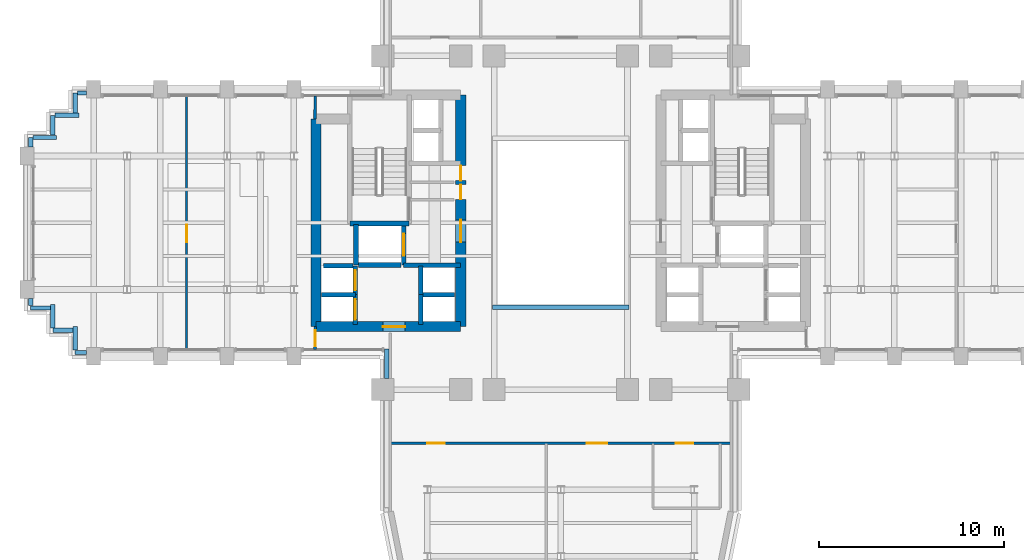
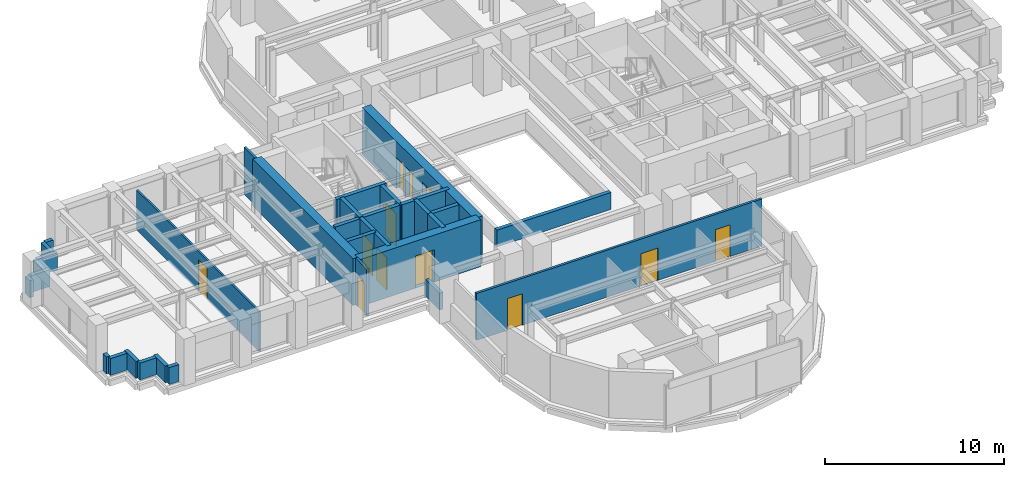
# One storey, part 10 of 16: 33 walls, 12 doors, 12 openings.
"""IFC4 building model written with IfcOpenShell, lengths in metres."""

from ifc_helpers import new_model, si_unit, direction, frame, frame_2d, origin, place, context, subcontext, project, spatial, rectangle, extrude, source, transform, mapped, material, layer, layer_set, type_object, element, fill, save


model = new_model("IFC4")

# Units and contexts
model_context = context("Model", 3, precision=1e-05, world=origin(), true_north=direction((0.0, 1.0)))
body_context = subcontext(model_context, "Body", "Model", "MODEL_VIEW")
ifc_project = project(units=[si_unit("LENGTHUNIT", "METRE"), si_unit("AREAUNIT", "SQUARE_METRE"), si_unit("VOLUMEUNIT", "CUBIC_METRE"), si_unit("PLANEANGLEUNIT", "RADIAN"), si_unit("MASSUNIT", "GRAM", prefix="KILO")], contexts=[model_context])

# Site, building, storey
site_placement = place(None, origin())
site = spatial("IfcSite", under=ifc_project, at=site_placement, CompositionType="ELEMENT")
building_placement = place(site_placement, origin())
building = spatial("IfcBuilding", under=site, at=building_placement, Name="Keilestroom Media Tower", CompositionType="ELEMENT")
storey_placement = place(building_placement, frame((0.0, 0.0, 81.60009765625)))
storey = spatial("IfcBuildingStorey", under=building, at=storey_placement, Name="L21", CompositionType="ELEMENT", Elevation=81.60009765625)

# Wall, opening, door
ifc_material_1 = material(Name="Gypsum Plasterboard & Steel Stud", Category="steel")
ifc_layer_1 = layer(ifc_material_1, 0.1201171875)
ifc_layer_set_1 = layer_set([ifc_layer_1], Name="Gypsum Plasterboard & Steel Stud")
wall_type_1 = type_object("IfcWallType", Name="Interior-Partition-Wall-120", PredefinedType="PARTITIONING", material=ifc_layer_set_1)
wall_1_placement = place(storey_placement, frame((-20.18994140625, -6.85009765625, 0.0), z_axis=(0.0, 0.0, 1.0), x_axis=(0.0, 1.0, 0.0)))
wall_1 = element("IfcWall", 1, at=wall_1_placement, inside=storey, type_object=wall_type_1, Name="L21 Interior Wall WP-L21-WA-V", PredefinedType="PARTITIONING", context=body_context, shape_type="SweptSolid", body=[
    extrude(rectangle(XDim=13.7001953125, YDim=0.1201171875, at=frame_2d((6.85009765625, 0.0))), origin(), (0.0, 0.0, 1.0), 2.7099609375),
])
opening_1_placement = place(wall_1_placement, frame((5.800048828125, 0.0, 0.0)))
opening_1 = element("IfcOpeningElement", 2, at=opening_1_placement, cuts=wall_1, Name="Opening DI-03", PredefinedType="OPENING", context=body_context, shape_type="SweptSolid", body=[
    extrude(rectangle(XDim=0.949951171875, YDim=2.14990234375, at=frame_2d((0.47509765625, 1.074951171875))), frame((0.0, 0.070068359375, 0.0), z_axis=(0.0, -1.0, 0.0), x_axis=(1.0, 0.0, 0.0)), (0.0, 0.0, 1.0), 0.14013671875),
])
ifc_material_2 = material(Name="Lacquered European Oak Leaf", Category="wood")
door_type_1 = type_object("IfcDoorType", Name="Interior-Room-And-Suite-Door-DI-03", OperationType="NOTDEFINED", PredefinedType="DOOR", material=ifc_material_2)
shared_shape_1 = source(origin(), body_context, "Body", "SweptSolid", [
    extrude(rectangle(XDim=0.949951171875, YDim=2.14990234375, at=frame_2d((0.47509765625, 1.074951171875))), frame((0.0, 0.02490234375, 0.0), z_axis=(0.0, -1.0, 0.0), x_axis=(1.0, 0.0, 0.0)), (0.0, 0.0, 1.0), 0.050048828125),
])
door_1_placement = place(opening_1_placement, origin())
door_1 = element("IfcDoor", 3, at=door_1_placement, inside=storey, type_object=door_type_1, Name="L21 Interior Door DI-L21-DWA-W", OperationType="SINGLE_SWING_LEFT", OverallHeight=2.14990234375, OverallWidth=0.949951171875, PredefinedType="DOOR", context=body_context, shape_type="MappedRepresentation", body=[
    mapped(shared_shape_1, transform((0.0, 0.0, 0.0), x_axis=(1.0, 0.0, 0.0), y_axis=(0.0, 1.0, 0.0), z_axis=(0.0, 0.0, 1.0), scale=1.0)),
])
fill(opening_1, door_1)

# Wall, openings, doors
ifc_layer_2 = layer(ifc_material_1, 0.14990234375)
ifc_layer_set_2 = layer_set([ifc_layer_2], Name="Gypsum Plasterboard & Steel Stud")
wall_type_2 = type_object("IfcWallType", Name="Interior-Partition-Wall-150", PredefinedType="PARTITIONING", material=ifc_layer_set_2)
wall_2_placement = place(storey_placement, frame((-9.199951171875, -11.89990234375, 0.0), z_axis=(0.0, 0.0, 1.0), x_axis=(1.0, 0.0, 0.0)))
wall_2 = element("IfcWall", 4, at=wall_2_placement, inside=storey, type_object=wall_type_2, Name="L21 Interior Wall WP-L21-SL-BASE", PredefinedType="PARTITIONING", context=body_context, shape_type="SweptSolid", body=[
    extrude(rectangle(XDim=18.39990234375, YDim=0.14990234375, at=frame_2d((9.199951171875, 0.0))), origin(), (0.0, 0.0, 1.0), 3.199951171875),
])
opening_2_placement = place(wall_2_placement, frame((15.39990234375, 0.0, 0.0)))
opening_2 = element("IfcOpeningElement", 5, at=opening_2_placement, cuts=wall_2, Name="Opening DI-03", PredefinedType="OPENING", context=body_context, shape_type="SweptSolid", body=[
    extrude(rectangle(XDim=0.949951171875, YDim=2.14990234375, at=frame_2d((0.47509765625, 1.074951171875))), frame((0.0, 0.0849609375, 0.0), z_axis=(0.0, -1.0, 0.0), x_axis=(1.0, 0.0, 0.0)), (0.0, 0.0, 1.0), 0.169921875),
])
opening_3_placement = place(wall_2_placement, frame((2.0, 0.0, 0.0)))
opening_3 = element("IfcOpeningElement", 6, at=opening_3_placement, cuts=wall_2, Name="Opening DI-03", PredefinedType="OPENING", context=body_context, shape_type="SweptSolid", body=[
    extrude(rectangle(XDim=0.949951171875, YDim=2.14990234375, at=frame_2d((0.47509765625, 1.074951171875))), frame((0.0, 0.0849609375, 0.0), z_axis=(0.0, -1.0, 0.0), x_axis=(1.0, 0.0, 0.0)), (0.0, 0.0, 1.0), 0.169921875),
])
opening_4_placement = place(wall_2_placement, frame((10.60009765625, 0.0, 0.0)))
opening_4 = element("IfcOpeningElement", 7, at=opening_4_placement, cuts=wall_2, Name="Opening DI-04", PredefinedType="OPENING", context=body_context, shape_type="SweptSolid", body=[
    extrude(rectangle(XDim=1.10009765625, YDim=2.199951171875, at=frame_2d((0.550048828125, 1.10009765625))), frame((0.0, 0.0849609375, 0.0), z_axis=(0.0, -1.0, 0.0), x_axis=(1.0, 0.0, 0.0)), (0.0, 0.0, 1.0), 0.169921875),
])
door_2_placement = place(opening_2_placement, origin())
door_2 = element("IfcDoor", 8, at=door_2_placement, inside=storey, type_object=door_type_1, Name="L21 Interior Door DI-L21-DSL-WC1", OperationType="SINGLE_SWING_LEFT", OverallHeight=2.14990234375, OverallWidth=0.949951171875, PredefinedType="DOOR", context=body_context, shape_type="MappedRepresentation", body=[
    mapped(shared_shape_1, transform((0.0, 0.0, 0.0), x_axis=(1.0, 0.0, 0.0), y_axis=(0.0, 1.0, 0.0), z_axis=(0.0, 0.0, 1.0), scale=1.0)),
])
fill(opening_2, door_2)
door_3_placement = place(opening_3_placement, origin())
door_3 = element("IfcDoor", 9, at=door_3_placement, inside=storey, type_object=door_type_1, Name="L21 Interior Door DI-L21-DSL-W", OperationType="SINGLE_SWING_RIGHT", OverallHeight=2.14990234375, OverallWidth=0.949951171875, PredefinedType="DOOR", context=body_context, shape_type="MappedRepresentation", body=[
    mapped(shared_shape_1, transform((0.0, 0.0, 0.0), x_axis=(1.0, 0.0, 0.0), y_axis=(0.0, 1.0, 0.0), z_axis=(0.0, 0.0, 1.0), scale=1.0)),
])
fill(opening_3, door_3)
ifc_material_3 = material(Name="Acoustic Glazed Aluminium Leaf", Category="aluminium")
door_type_2 = type_object("IfcDoorType", Name="Interior-Room-And-Suite-Door-DI-04", OperationType="NOTDEFINED", PredefinedType="DOOR", material=ifc_material_3)
shared_shape_2 = source(origin(), body_context, "Body", "SweptSolid", [
    extrude(rectangle(XDim=1.10009765625, YDim=2.199951171875, at=frame_2d((0.550048828125, 1.10009765625))), frame((0.0, 0.02490234375, 0.0), z_axis=(0.0, -1.0, 0.0), x_axis=(1.0, 0.0, 0.0)), (0.0, 0.0, 1.0), 0.050048828125),
])
door_4_placement = place(opening_4_placement, origin())
door_4 = element("IfcDoor", 10, at=door_4_placement, inside=storey, type_object=door_type_2, Name="L21 Interior Door DI-L21-DSL-E", OperationType="SINGLE_SWING_LEFT", OverallHeight=2.199951171875, OverallWidth=1.10009765625, PredefinedType="DOOR", context=body_context, shape_type="MappedRepresentation", body=[
    mapped(shared_shape_2, transform((0.0, 0.0, 0.0), x_axis=(1.0, 0.0, 0.0), y_axis=(0.0, 1.0, 0.0), z_axis=(0.0, 0.0, 1.0), scale=1.0)),
])
fill(opening_4, door_4)

# Wall
wall_3_placement = place(storey_placement, frame((-13.260009765625, 5.60009765625, 0.0), z_axis=(0.0, 0.0, 1.0), x_axis=(0.016013571389, 0.999871774545, 0.0)))
element("IfcWall", 11, at=wall_3_placement, inside=storey, type_object=wall_type_2, Name="L21 Interior Wall WP-L21-WA-ENTN", PredefinedType="PARTITIONING", context=body_context, shape_type="SweptSolid", body=[
    extrude(rectangle(XDim=1.250244140625, YDim=0.14990234375, at=frame_2d((0.625, 0.0))), origin(), (0.0, 0.0, 1.0), 3.199951171875),
])

# Wall, opening, door
wall_4_placement = place(storey_placement, frame((-13.260009765625, -6.85009765625, 0.0), z_axis=(0.0, 0.0, 1.0), x_axis=(0.016013571389, 0.999871774545, 0.0)))
wall_4 = element("IfcWall", 12, at=wall_4_placement, inside=storey, type_object=wall_type_2, Name="L21 Interior Wall WP-L21-WA-ENTS", PredefinedType="PARTITIONING", context=body_context, shape_type="SweptSolid", body=[
    extrude(rectangle(XDim=1.250244140625, YDim=0.14990234375, at=frame_2d((0.625, 0.0))), origin(), (0.0, 0.0, 1.0), 3.199951171875),
])
opening_5_placement = place(wall_4_placement, frame((0.199951171875, 0.0, 0.0)))
opening_5 = element("IfcOpeningElement", 13, at=opening_5_placement, cuts=wall_4, Name="Opening DI-05", PredefinedType="OPENING", context=body_context, shape_type="SweptSolid", body=[
    extrude(rectangle(XDim=0.85009765625, YDim=2.10009765625, at=frame_2d((0.425048828125, 1.050048828125))), frame((0.0, 0.0849609375, 0.0), z_axis=(0.0, -1.0, 0.0), x_axis=(1.0, 0.0, 0.0)), (0.0, 0.0, 1.0), 0.169921875),
])
ifc_material_4 = material(Name="Moisture-Resistant Oak Leaf", Category="wood")
door_type_3 = type_object("IfcDoorType", Name="Interior-En-Suite-And-Cupboard-Door-DI-05", OperationType="NOTDEFINED", PredefinedType="DOOR", material=ifc_material_4)
shared_shape_3 = source(origin(), body_context, "Body", "SweptSolid", [
    extrude(rectangle(XDim=0.85009765625, YDim=2.10009765625, at=frame_2d((0.425048828125, 1.050048828125))), frame((0.0, 0.02490234375, 0.0), z_axis=(0.0, -1.0, 0.0), x_axis=(1.0, 0.0, 0.0)), (0.0, 0.0, 1.0), 0.050048828125),
])
door_5_placement = place(opening_5_placement, origin())
door_5 = element("IfcDoor", 14, at=door_5_placement, inside=storey, type_object=door_type_3, Name="L21 Interior Door DI-L21-DWA-E", OperationType="SINGLE_SWING_RIGHT", OverallHeight=2.10009765625, OverallWidth=0.85009765625, PredefinedType="DOOR", context=body_context, shape_type="MappedRepresentation", body=[
    mapped(shared_shape_3, transform((0.0, 0.0, 0.0), x_axis=(1.0, 0.0, 0.0), y_axis=(0.0, 1.0, 0.0), z_axis=(0.0, 0.0, 1.0), scale=1.0)),
])
fill(opening_5, door_5)

# Wall
ifc_material_5 = material(Name="Concrete C70/85", Category="concrete")
ifc_layer_3 = layer(ifc_material_5, 0.550048828125)
ifc_layer_set_3 = layer_set([ifc_layer_3], Name="Concrete C70/85")
wall_type_3 = type_object("IfcWallType", Name="Reinforced-Concrete-Core-Shear-Wall-550", PredefinedType="SHEAR", material=ifc_layer_set_3)
wall_5_placement = place(storey_placement, frame((-13.199951171875, -5.60009765625, 0.0), z_axis=(0.0, 0.0, 1.0), x_axis=(0.0, 1.0, 0.0)))
element("IfcWall", 15, at=wall_5_placement, inside=storey, type_object=wall_type_3, Name="L21 Core Shear Wall WL-L21-CORE-W-OUT", PredefinedType="SHEAR", context=body_context, shape_type="SweptSolid", body=[
    extrude(rectangle(XDim=11.2001953125, YDim=0.550048828125, at=frame_2d((5.60009765625, 0.0))), origin(), (0.0, 0.0, 1.0), 3.199951171875),
])

# Wall, openings, doors
wall_6_placement = place(storey_placement, frame((-5.39990234375, -5.60009765625, 0.0), z_axis=(0.0, 0.0, 1.0), x_axis=(0.0, 1.0, 0.0)))
wall_6 = element("IfcWall", 16, at=wall_6_placement, inside=storey, type_object=wall_type_3, Name="L21 Core Shear Wall WL-L21-CORE-W-IN", PredefinedType="SHEAR", context=body_context, shape_type="SweptSolid", body=[
    extrude(rectangle(XDim=12.5, YDim=0.550048828125, at=frame_2d((6.25, 0.0))), origin(), (0.0, 0.0, 1.0), 3.199951171875),
])
opening_6_placement = place(wall_6_placement, frame((4.550048828125, 0.0, 0.0)))
opening_6 = element("IfcOpeningElement", 17, at=opening_6_placement, cuts=wall_6, Name="Opening DI-02", PredefinedType="OPENING", context=body_context, shape_type="SweptSolid", body=[
    extrude(rectangle(XDim=1.199951171875, YDim=2.199951171875, at=frame_2d((0.60009765625, 1.10009765625))), frame((0.0, 0.28515625, 0.0), z_axis=(0.0, -1.0, 0.0), x_axis=(1.0, 0.0, 0.0)), (0.0, 0.0, 1.0), 0.570068359375),
])
opening_7_placement = place(wall_6_placement, frame((6.860107421875, 0.0, 0.0)))
opening_7 = element("IfcOpeningElement", 18, at=opening_7_placement, cuts=wall_6, Name="Opening DI-06", PredefinedType="OPENING", context=body_context, shape_type="SweptSolid", body=[
    extrude(rectangle(XDim=0.800048828125, YDim=2.10009765625, at=frame_2d((0.39990234375, 1.050048828125))), frame((0.0, 0.28515625, 0.0), z_axis=(0.0, -1.0, 0.0), x_axis=(1.0, 0.0, 0.0)), (0.0, 0.0, 1.0), 0.570068359375),
])
opening_8_placement = place(wall_6_placement, frame((7.8798828125, 0.0, 0.0)))
opening_8 = element("IfcOpeningElement", 19, at=opening_8_placement, cuts=wall_6, Name="Opening DI-06", PredefinedType="OPENING", context=body_context, shape_type="SweptSolid", body=[
    extrude(rectangle(XDim=0.800048828125, YDim=2.10009765625, at=frame_2d((0.39990234375, 1.050048828125))), frame((0.0, 0.28515625, 0.0), z_axis=(0.0, -1.0, 0.0), x_axis=(1.0, 0.0, 0.0)), (0.0, 0.0, 1.0), 0.570068359375),
])
ifc_material_6 = material(Name="Powder-Coated Steel Fire Leaf", Category="steel")
door_type_4 = type_object("IfcDoorType", Name="Interior-Compartment-Fire-Door-DI-02", OperationType="NOTDEFINED", PredefinedType="DOOR", material=ifc_material_6)
shared_shape_4 = source(origin(), body_context, "Body", "SweptSolid", [
    extrude(rectangle(XDim=1.199951171875, YDim=2.199951171875, at=frame_2d((0.60009765625, 1.10009765625))), frame((0.0, 0.02490234375, 0.0), z_axis=(0.0, -1.0, 0.0), x_axis=(1.0, 0.0, 0.0)), (0.0, 0.0, 1.0), 0.050048828125),
])
door_6_placement = place(opening_6_placement, origin())
door_6 = element("IfcDoor", 20, at=door_6_placement, inside=storey, type_object=door_type_4, Name="L21 W Firefighting Lobby Door", OperationType="SINGLE_SWING_RIGHT", OverallHeight=2.199951171875, OverallWidth=1.199951171875, PredefinedType="DOOR", context=body_context, shape_type="MappedRepresentation", body=[
    mapped(shared_shape_4, transform((0.0, 0.0, 0.0), x_axis=(1.0, 0.0, 0.0), y_axis=(0.0, 1.0, 0.0), z_axis=(0.0, 0.0, 1.0), scale=1.0)),
])
fill(opening_6, door_6)
ifc_material_7 = material(Name="Powder-Coated Steel Service Leaf", Category="steel")
door_type_5 = type_object("IfcDoorType", Name="Interior-Riser-Access-Door-DI-06", OperationType="NOTDEFINED", PredefinedType="DOOR", material=ifc_material_7)
shared_shape_5 = source(origin(), body_context, "Body", "SweptSolid", [
    extrude(rectangle(XDim=0.800048828125, YDim=2.10009765625, at=frame_2d((0.39990234375, 1.050048828125))), frame((0.0, 0.02490234375, 0.0), z_axis=(0.0, -1.0, 0.0), x_axis=(1.0, 0.0, 0.0)), (0.0, 0.0, 1.0), 0.050048828125),
])
door_7_placement = place(opening_7_placement, origin())
door_7 = element("IfcDoor", 21, at=door_7_placement, inside=storey, type_object=door_type_5, Name="L21 West Core Switchroom Door", OperationType="SINGLE_SWING_LEFT", OverallHeight=2.10009765625, OverallWidth=0.800048828125, PredefinedType="DOOR", context=body_context, shape_type="MappedRepresentation", body=[
    mapped(shared_shape_5, transform((0.0, 0.0, 0.0), x_axis=(1.0, 0.0, 0.0), y_axis=(0.0, 1.0, 0.0), z_axis=(0.0, 0.0, 1.0), scale=1.0)),
])
fill(opening_7, door_7)
door_8_placement = place(opening_8_placement, origin())
door_8 = element("IfcDoor", 22, at=door_8_placement, inside=storey, type_object=door_type_5, Name="L21 West Core Closet Door", OperationType="SINGLE_SWING_LEFT", OverallHeight=2.10009765625, OverallWidth=0.800048828125, PredefinedType="DOOR", context=body_context, shape_type="MappedRepresentation", body=[
    mapped(shared_shape_5, transform((0.0, 0.0, 0.0), x_axis=(1.0, 0.0, 0.0), y_axis=(0.0, 1.0, 0.0), z_axis=(0.0, 0.0, 1.0), scale=1.0)),
])
fill(opening_8, door_8)

# Wall, opening, door
wall_7_placement = place(storey_placement, frame((-13.199951171875, -5.60009765625, 0.0), z_axis=(0.0, 0.0, 1.0), x_axis=(1.0, 0.0, 0.0)))
wall_7 = element("IfcWall", 23, at=wall_7_placement, inside=storey, type_object=wall_type_3, Name="L21 Core Shear Wall WL-L21-CORE-W-S", PredefinedType="SHEAR", context=body_context, shape_type="SweptSolid", body=[
    extrude(rectangle(XDim=7.800048828125, YDim=0.550048828125, at=frame_2d((3.89990234375, 0.0))), origin(), (0.0, 0.0, 1.0), 3.199951171875),
])
opening_9_placement = place(wall_7_placement, frame((3.60009765625, 0.0, 0.0)))
opening_9 = element("IfcOpeningElement", 24, at=opening_9_placement, cuts=wall_7, Name="Opening DI-02", PredefinedType="OPENING", context=body_context, shape_type="SweptSolid", body=[
    extrude(rectangle(XDim=1.199951171875, YDim=2.199951171875, at=frame_2d((0.60009765625, 1.10009765625))), frame((0.0, 0.28515625, 0.0), z_axis=(0.0, -1.0, 0.0), x_axis=(1.0, 0.0, 0.0)), (0.0, 0.0, 1.0), 0.570068359375),
])
door_9_placement = place(opening_9_placement, origin())
door_9 = element("IfcDoor", 25, at=door_9_placement, inside=storey, type_object=door_type_4, Name="L21 W Passenger Lift Lobby Door", OperationType="SINGLE_SWING_LEFT", OverallHeight=2.199951171875, OverallWidth=1.199951171875, PredefinedType="DOOR", context=body_context, shape_type="MappedRepresentation", body=[
    mapped(shared_shape_4, transform((0.0, 0.0, 0.0), x_axis=(1.0, 0.0, 0.0), y_axis=(0.0, 1.0, 0.0), z_axis=(0.0, 0.0, 1.0), scale=1.0)),
])
fill(opening_9, door_9)

# Walls
ifc_material_8 = material(Name="Concrete C50/60", Category="concrete")
ifc_layer_4 = layer(ifc_material_8, 0.25)
ifc_layer_set_4 = layer_set([ifc_layer_4], Name="Concrete C50/60")
wall_type_4 = type_object("IfcWallType", Name="Reinforced-Concrete-Shaft-Wall-250", PredefinedType="SOLIDWALL", material=ifc_layer_set_4)
wall_8_placement = place(storey_placement, frame((-8.47998046875, -2.300048828125, 0.0), z_axis=(0.0, 0.0, 1.0), x_axis=(1.0, 0.0, 0.0)))
element("IfcWall", 26, at=wall_8_placement, inside=storey, type_object=wall_type_4, Name="L21 Core Shear Wall WL-L21-CORE-W-FFS", PredefinedType="SOLIDWALL", context=body_context, shape_type="SweptSolid", body=[
    extrude(rectangle(XDim=3.080078125, YDim=0.25, at=frame_2d((1.5400390625, 0.0))), origin(), (0.0, 0.0, 1.0), 3.199951171875),
])
wall_9_placement = place(storey_placement, frame((-11.381103515625, -0.041015625, 0.0), z_axis=(0.0, 0.0, 1.0), x_axis=(1.0, 0.0, 0.0)))
element("IfcWall", 27, at=wall_9_placement, inside=storey, type_object=wall_type_4, Name="L21 Core Shear Wall WL-L21-STW-W-S", PredefinedType="SOLIDWALL", context=body_context, shape_type="SweptSolid", body=[
    extrude(rectangle(XDim=3.2021484375, YDim=0.25, at=frame_2d((1.60107421875, 0.0))), origin(), (0.0, 0.0, 1.0), 3.199951171875),
])
wall_10_placement = place(storey_placement, frame((-11.050048828125, -2.280029296875, 0.0), z_axis=(0.0, 0.0, 1.0), x_axis=(0.0, 1.0, 0.0)))
element("IfcWall", 28, at=wall_10_placement, inside=storey, type_object=wall_type_4, Name="L21 Core Shear Wall WL-L21-LSH-FFL-1-W", PredefinedType="SOLIDWALL", context=body_context, shape_type="SweptSolid", body=[
    extrude(rectangle(XDim=2.179931640625, YDim=0.25, at=frame_2d((1.08984375, 0.0))), origin(), (0.0, 0.0, 1.0), 3.199951171875),
])

# Wall, opening, door
wall_11_placement = place(storey_placement, frame((-8.47998046875, -2.280029296875, 0.0), z_axis=(0.0, 0.0, 1.0), x_axis=(0.0, 1.0, 0.0)))
wall_11 = element("IfcWall", 29, at=wall_11_placement, inside=storey, type_object=wall_type_4, Name="L21 Core Shear Wall WL-L21-LSH-FFL-1-E", PredefinedType="SOLIDWALL", context=body_context, shape_type="SweptSolid", body=[
    extrude(rectangle(XDim=2.179931640625, YDim=0.25, at=frame_2d((1.08984375, 0.0))), origin(), (0.0, 0.0, 1.0), 3.199951171875),
])
opening_10_placement = place(wall_11_placement, frame((0.489990234375, 0.0, 0.0)))
opening_10 = element("IfcOpeningElement", 30, at=opening_10_placement, cuts=wall_11, Name="Opening LD-02", PredefinedType="OPENING", context=body_context, shape_type="SweptSolid", body=[
    extrude(rectangle(XDim=1.199951171875, YDim=2.199951171875, at=frame_2d((0.60009765625, 1.10009765625))), frame((0.0, 0.135009765625, 0.0), z_axis=(0.0, -1.0, 0.0), x_axis=(1.0, 0.0, 0.0)), (0.0, 0.0, 1.0), 0.27001953125),
])
ifc_material_9 = material(Name="Brushed Stainless Steel Sliding Leaf", Category="steel")
door_type_6 = type_object("IfcDoorType", Name="Lift-Landing-Sliding-Door-LD-02", OperationType="SLIDING_TO_RIGHT", PredefinedType="DOOR", material=ifc_material_9)
door_10_placement = place(opening_10_placement, origin())
door_10 = element("IfcDoor", 31, at=door_10_placement, inside=storey, type_object=door_type_6, Name="L21 Lift FFL-1 Landing Sliding Door", OperationType="SLIDING_TO_RIGHT", OverallHeight=2.199951171875, OverallWidth=1.199951171875, PredefinedType="DOOR", context=body_context, shape_type="MappedRepresentation", body=[
    mapped(shared_shape_4, transform((0.0, 0.0, 0.0), x_axis=(1.0, 0.0, 0.0), y_axis=(0.0, 1.0, 0.0), z_axis=(0.0, 0.0, 1.0), scale=1.0)),
])
fill(opening_10, door_10)

# Wall
wall_12_placement = place(storey_placement, frame((-10.9208984375, -2.280029296875, 0.0), z_axis=(0.0, 0.0, 1.0), x_axis=(1.0, 0.0, 0.0)))
element("IfcWall", 32, at=wall_12_placement, inside=storey, type_object=wall_type_4, Name="L21 Core Shear Wall WL-L21-LSH-FFL-1-S", PredefinedType="SOLIDWALL", context=body_context, shape_type="SweptSolid", body=[
    extrude(rectangle(XDim=2.31201171875, YDim=0.25, at=frame_2d((1.156005859375, 0.0))), origin(), (0.0, 0.0, 1.0), 3.199951171875),
])

# Wall, opening, door
wall_13_placement = place(storey_placement, frame((-11.080078125, -5.47998046875, 0.0), z_axis=(0.0, 0.0, 1.0), x_axis=(0.0, 1.0, 0.0)))
wall_13 = element("IfcWall", 33, at=wall_13_placement, inside=storey, type_object=wall_type_4, Name="L21 Core Shear Wall WL-L21-LSH-PL-L1-E", PredefinedType="SOLIDWALL", context=body_context, shape_type="SweptSolid", body=[
    extrude(rectangle(XDim=1.60009765625, YDim=0.25, at=frame_2d((0.800048828125, 0.0))), origin(), (0.0, 0.0, 1.0), 3.199951171875),
])
opening_11_placement = place(wall_13_placement, frame((0.25, 0.0, 0.0)))
opening_11 = element("IfcOpeningElement", 34, at=opening_11_placement, cuts=wall_13, Name="Opening LD-01", PredefinedType="OPENING", context=body_context, shape_type="SweptSolid", body=[
    extrude(rectangle(XDim=1.10009765625, YDim=2.199951171875, at=frame_2d((0.550048828125, 1.10009765625))), frame((0.0, 0.135009765625, 0.0), z_axis=(0.0, -1.0, 0.0), x_axis=(1.0, 0.0, 0.0)), (0.0, 0.0, 1.0), 0.27001953125),
])
door_type_7 = type_object("IfcDoorType", Name="Lift-Landing-Sliding-Door-LD-01", OperationType="SLIDING_TO_LEFT", PredefinedType="DOOR", material=ifc_material_9)
door_11_placement = place(opening_11_placement, origin())
door_11 = element("IfcDoor", 35, at=door_11_placement, inside=storey, type_object=door_type_7, Name="L21 Lift PL-L1 Landing Sliding Door", OperationType="SLIDING_TO_LEFT", OverallHeight=2.199951171875, OverallWidth=1.10009765625, PredefinedType="DOOR", context=body_context, shape_type="MappedRepresentation", body=[
    mapped(shared_shape_2, transform((0.0, 0.0, 0.0), x_axis=(1.0, 0.0, 0.0), y_axis=(0.0, 1.0, 0.0), z_axis=(0.0, 0.0, 1.0), scale=1.0)),
])
fill(opening_11, door_11)

# Wall
wall_14_placement = place(storey_placement, frame((-12.919921875, -3.8798828125, 0.0), z_axis=(0.0, 0.0, 1.0), x_axis=(1.0, 0.0, 0.0)))
element("IfcWall", 36, at=wall_14_placement, inside=storey, type_object=wall_type_4, Name="L21 Core Shear Wall WL-L21-LSH-PL-L1-N", PredefinedType="SOLIDWALL", context=body_context, shape_type="SweptSolid", body=[
    extrude(rectangle(XDim=1.83984375, YDim=0.25, at=frame_2d((0.919921875, 0.0))), origin(), (0.0, 0.0, 1.0), 3.199951171875),
])

# Wall, opening, door
wall_15_placement = place(storey_placement, frame((-11.080078125, -3.8798828125, 0.0), z_axis=(0.0, 0.0, 1.0), x_axis=(0.0, 1.0, 0.0)))
wall_15 = element("IfcWall", 37, at=wall_15_placement, inside=storey, type_object=wall_type_4, Name="L21 Core Shear Wall WL-L21-LSH-PL-L2-E", PredefinedType="SOLIDWALL", context=body_context, shape_type="SweptSolid", body=[
    extrude(rectangle(XDim=1.559814453125, YDim=0.25, at=frame_2d((0.77978515625, 0.0))), origin(), (0.0, 0.0, 1.0), 3.199951171875),
])
opening_12_placement = place(wall_15_placement, frame((0.22998046875, 0.0, 0.0)))
opening_12 = element("IfcOpeningElement", 38, at=opening_12_placement, cuts=wall_15, Name="Opening LD-01", PredefinedType="OPENING", context=body_context, shape_type="SweptSolid", body=[
    extrude(rectangle(XDim=1.10009765625, YDim=2.199951171875, at=frame_2d((0.550048828125, 1.10009765625))), frame((0.0, 0.135009765625, 0.0), z_axis=(0.0, -1.0, 0.0), x_axis=(1.0, 0.0, 0.0)), (0.0, 0.0, 1.0), 0.27001953125),
])
door_12_placement = place(opening_12_placement, origin())
door_12 = element("IfcDoor", 39, at=door_12_placement, inside=storey, type_object=door_type_7, Name="L21 Lift PL-L2 Landing Sliding Door", OperationType="SLIDING_TO_LEFT", OverallHeight=2.199951171875, OverallWidth=1.10009765625, PredefinedType="DOOR", context=body_context, shape_type="MappedRepresentation", body=[
    mapped(shared_shape_2, transform((0.0, 0.0, 0.0), x_axis=(1.0, 0.0, 0.0), y_axis=(0.0, 1.0, 0.0), z_axis=(0.0, 0.0, 1.0), scale=1.0)),
])
fill(opening_12, door_12)

# Walls
wall_16_placement = place(storey_placement, frame((-12.791015625, -2.320068359375, 0.0), z_axis=(0.0, 0.0, 1.0), x_axis=(1.0, 0.0, 0.0)))
element("IfcWall", 40, at=wall_16_placement, inside=storey, type_object=wall_type_4, Name="L21 Core Shear Wall WL-L21-LSH-PL-L2-N", PredefinedType="SOLIDWALL", context=body_context, shape_type="SweptSolid", body=[
    extrude(rectangle(XDim=1.58203125, YDim=0.25, at=frame_2d((0.791015625, 0.0))), origin(), (0.0, 0.0, 1.0), 3.199951171875),
])
wall_17_placement = place(storey_placement, frame((-7.56005859375, -5.47998046875, 0.0), z_axis=(0.0, 0.0, 1.0), x_axis=(0.0, 1.0, 0.0)))
element("IfcWall", 41, at=wall_17_placement, inside=storey, type_object=wall_type_4, Name="L21 Core Shear Wall WL-L21-LSH-PL-M1-W", PredefinedType="SOLIDWALL", context=body_context, shape_type="SweptSolid", body=[
    extrude(rectangle(XDim=1.60009765625, YDim=0.25, at=frame_2d((0.800048828125, 0.0))), origin(), (0.0, 0.0, 1.0), 3.199951171875),
])
wall_18_placement = place(storey_placement, frame((-7.56005859375, -3.8798828125, 0.0), z_axis=(0.0, 0.0, 1.0), x_axis=(1.0, 0.0, 0.0)))
element("IfcWall", 42, at=wall_18_placement, inside=storey, type_object=wall_type_4, Name="L21 Core Shear Wall WL-L21-LSH-PL-M1-N", PredefinedType="SOLIDWALL", context=body_context, shape_type="SweptSolid", body=[
    extrude(rectangle(XDim=1.840087890625, YDim=0.25, at=frame_2d((0.919921875, 0.0))), origin(), (0.0, 0.0, 1.0), 3.199951171875),
])
wall_19_placement = place(storey_placement, frame((-7.56005859375, -3.8798828125, 0.0), z_axis=(0.0, 0.0, 1.0), x_axis=(0.0, 1.0, 0.0)))
element("IfcWall", 43, at=wall_19_placement, inside=storey, type_object=wall_type_4, Name="L21 Core Shear Wall WL-L21-LSH-PL-M2-W", PredefinedType="SOLIDWALL", context=body_context, shape_type="SweptSolid", body=[
    extrude(rectangle(XDim=1.559814453125, YDim=0.25, at=frame_2d((0.77978515625, 0.0))), origin(), (0.0, 0.0, 1.0), 3.199951171875),
])
ifc_material_10 = material(Name="Precast concrete C40/50", Category="concrete")
ifc_layer_5 = layer(ifc_material_10, 0.239990234375)
ifc_layer_set_5 = layer_set([ifc_layer_5], Name="Precast concrete C40/50")
wall_type_5 = type_object("IfcWallType", Name="Roof-And-Terrace-Parapet-Wall-240", PredefinedType="PARAPET", material=ifc_layer_set_5)
wall_20_placement = place(storey_placement, frame((-9.39990234375, -8.39697265625, 0.0), z_axis=(0.0, 0.0, 1.0), x_axis=(0.0, 1.0, 0.0)))
element("IfcWall", 44, at=wall_20_placement, inside=storey, type_object=wall_type_5, Name="L21 Perimeter Edge Parapet Wall 11", PredefinedType="PARAPET", context=body_context, shape_type="SweptSolid", body=[
    extrude(rectangle(XDim=1.578125, YDim=0.239990234375, at=frame_2d((0.7890625, 0.0))), origin(), (0.0, 0.0, 1.0), 1.14990234375),
])
wall_21_placement = place(storey_placement, frame((-25.577880859375, -7.0, 0.0), z_axis=(0.0, 0.0, 1.0), x_axis=(-1.0, 0.0, 0.0)))
element("IfcWall", 45, at=wall_21_placement, inside=storey, type_object=wall_type_5, Name="L21 Perimeter Edge Parapet Wall 12", PredefinedType="PARAPET", context=body_context, shape_type="SweptSolid", body=[
    extrude(rectangle(XDim=0.6220703125, YDim=0.239990234375, at=frame_2d((0.31103515625, 0.0))), origin(), (0.0, 0.0, 1.0), 1.14990234375),
])
wall_22_placement = place(storey_placement, frame((-26.199951171875, -6.876953125, 0.0), z_axis=(0.0, 0.0, 1.0), x_axis=(0.0, 1.0, 0.0)))
element("IfcWall", 46, at=wall_22_placement, inside=storey, type_object=wall_type_5, Name="L21 Perimeter Edge Parapet Wall 13", PredefinedType="PARAPET", context=body_context, shape_type="SweptSolid", body=[
    extrude(rectangle(XDim=1.27685546875, YDim=0.239990234375, at=frame_2d((0.638427734375, 0.0))), origin(), (0.0, 0.0, 1.0), 1.14990234375),
])
wall_23_placement = place(storey_placement, frame((-26.322998046875, -5.800048828125, 0.0), z_axis=(0.0, 0.0, 1.0), x_axis=(-1.0, 0.0, 0.0)))
element("IfcWall", 47, at=wall_23_placement, inside=storey, type_object=wall_type_5, Name="L21 Perimeter Edge Parapet Wall 14", PredefinedType="PARAPET", context=body_context, shape_type="SweptSolid", body=[
    extrude(rectangle(XDim=1.076904296875, YDim=0.239990234375, at=frame_2d((0.53857421875, 0.0))), origin(), (0.0, 0.0, 1.0), 1.14990234375),
])
wall_24_placement = place(storey_placement, frame((-27.39990234375, -5.677001953125, 0.0), z_axis=(0.0, 0.0, 1.0), x_axis=(0.0, 1.0, 0.0)))
element("IfcWall", 48, at=wall_24_placement, inside=storey, type_object=wall_type_5, Name="L21 Perimeter Edge Parapet Wall 15", PredefinedType="PARAPET", context=body_context, shape_type="SweptSolid", body=[
    extrude(rectangle(XDim=1.277099609375, YDim=0.239990234375, at=frame_2d((0.638671875, 0.0))), origin(), (0.0, 0.0, 1.0), 1.14990234375),
])
wall_25_placement = place(storey_placement, frame((-27.52294921875, -4.60009765625, 0.0), z_axis=(0.0, 0.0, 1.0), x_axis=(-1.0, 0.0, 0.0)))
element("IfcWall", 49, at=wall_25_placement, inside=storey, type_object=wall_type_5, Name="L21 Perimeter Edge Parapet Wall 16", PredefinedType="PARAPET", context=body_context, shape_type="SweptSolid", body=[
    extrude(rectangle(XDim=1.0771484375, YDim=0.239990234375, at=frame_2d((0.53857421875, 0.0))), origin(), (0.0, 0.0, 1.0), 1.14990234375),
])
wall_26_placement = place(storey_placement, frame((-28.60009765625, -4.47705078125, 0.0), z_axis=(0.0, 0.0, 1.0), x_axis=(0.0, 1.0, 0.0)))
element("IfcWall", 50, at=wall_26_placement, inside=storey, type_object=wall_type_5, Name="L21 Perimeter Edge Parapet Wall 17", PredefinedType="PARAPET", context=body_context, shape_type="SweptSolid", body=[
    extrude(rectangle(XDim=0.399169921875, YDim=0.239990234375, at=frame_2d((0.19970703125, 0.0))), origin(), (0.0, 0.0, 1.0), 1.14990234375),
])
wall_27_placement = place(storey_placement, frame((-28.60009765625, 4.077880859375, 0.0), z_axis=(0.0, 0.0, 1.0), x_axis=(0.0, 1.0, 0.0)))
element("IfcWall", 51, at=wall_27_placement, inside=storey, type_object=wall_type_5, Name="L21 Perimeter Edge Parapet Wall 18", PredefinedType="PARAPET", context=body_context, shape_type="SweptSolid", body=[
    extrude(rectangle(XDim=0.522216796875, YDim=0.239990234375, at=frame_2d((0.26123046875, 0.0))), origin(), (0.0, 0.0, 1.0), 1.14990234375),
])
wall_28_placement = place(storey_placement, frame((-28.47705078125, 4.60009765625, 0.0), z_axis=(0.0, 0.0, 1.0), x_axis=(1.0, 0.0, 0.0)))
element("IfcWall", 52, at=wall_28_placement, inside=storey, type_object=wall_type_5, Name="L21 Perimeter Edge Parapet Wall 19", PredefinedType="PARAPET", context=body_context, shape_type="SweptSolid", body=[
    extrude(rectangle(XDim=1.277099609375, YDim=0.239990234375, at=frame_2d((0.638671875, 0.0))), origin(), (0.0, 0.0, 1.0), 1.14990234375),
])
wall_29_placement = place(storey_placement, frame((-27.39990234375, 4.722900390625, 0.0), z_axis=(0.0, 0.0, 1.0), x_axis=(0.0, 1.0, 0.0)))
element("IfcWall", 53, at=wall_29_placement, inside=storey, type_object=wall_type_5, Name="L21 Perimeter Edge Parapet Wall 20", PredefinedType="PARAPET", context=body_context, shape_type="SweptSolid", body=[
    extrude(rectangle(XDim=1.0771484375, YDim=0.239990234375, at=frame_2d((0.53857421875, 0.0))), origin(), (0.0, 0.0, 1.0), 1.14990234375),
])
wall_30_placement = place(storey_placement, frame((-27.277099609375, 5.800048828125, 0.0), z_axis=(0.0, 0.0, 1.0), x_axis=(1.0, 0.0, 0.0)))
element("IfcWall", 54, at=wall_30_placement, inside=storey, type_object=wall_type_5, Name="L21 Perimeter Edge Parapet Wall 21", PredefinedType="PARAPET", context=body_context, shape_type="SweptSolid", body=[
    extrude(rectangle(XDim=1.277099609375, YDim=0.239990234375, at=frame_2d((0.638671875, 0.0))), origin(), (0.0, 0.0, 1.0), 1.14990234375),
])
wall_31_placement = place(storey_placement, frame((-26.199951171875, 5.923095703125, 0.0), z_axis=(0.0, 0.0, 1.0), x_axis=(0.0, 1.0, 0.0)))
element("IfcWall", 55, at=wall_31_placement, inside=storey, type_object=wall_type_5, Name="L21 Perimeter Edge Parapet Wall 22", PredefinedType="PARAPET", context=body_context, shape_type="SweptSolid", body=[
    extrude(rectangle(XDim=1.076904296875, YDim=0.239990234375, at=frame_2d((0.53857421875, 0.0))), origin(), (0.0, 0.0, 1.0), 1.14990234375),
])
wall_32_placement = place(storey_placement, frame((-26.076904296875, 7.0, 0.0), z_axis=(0.0, 0.0, 1.0), x_axis=(1.0, 0.0, 0.0)))
element("IfcWall", 56, at=wall_32_placement, inside=storey, type_object=wall_type_5, Name="L21 Perimeter Edge Parapet Wall 23", PredefinedType="PARAPET", context=body_context, shape_type="SweptSolid", body=[
    extrude(rectangle(XDim=0.4990234375, YDim=0.239990234375, at=frame_2d((0.24951171875, 0.0))), origin(), (0.0, 0.0, 1.0), 1.14990234375),
])
wall_33_placement = place(storey_placement, frame((-3.679931640625, -4.56005859375, 0.0), z_axis=(0.0, 0.0, 1.0), x_axis=(1.0, 0.0, 0.0)))
element("IfcWall", 57, at=wall_33_placement, inside=storey, type_object=wall_type_5, Name="L21 Central Atrium Guard Parapet S", PredefinedType="PARAPET", context=body_context, shape_type="SweptSolid", body=[
    extrude(rectangle(XDim=7.35986328125, YDim=0.239990234375, at=frame_2d((3.679931640625, 0.0))), origin(), (0.0, 0.0, 1.0), 1.14990234375),
])

save(model, "model.ifc")
